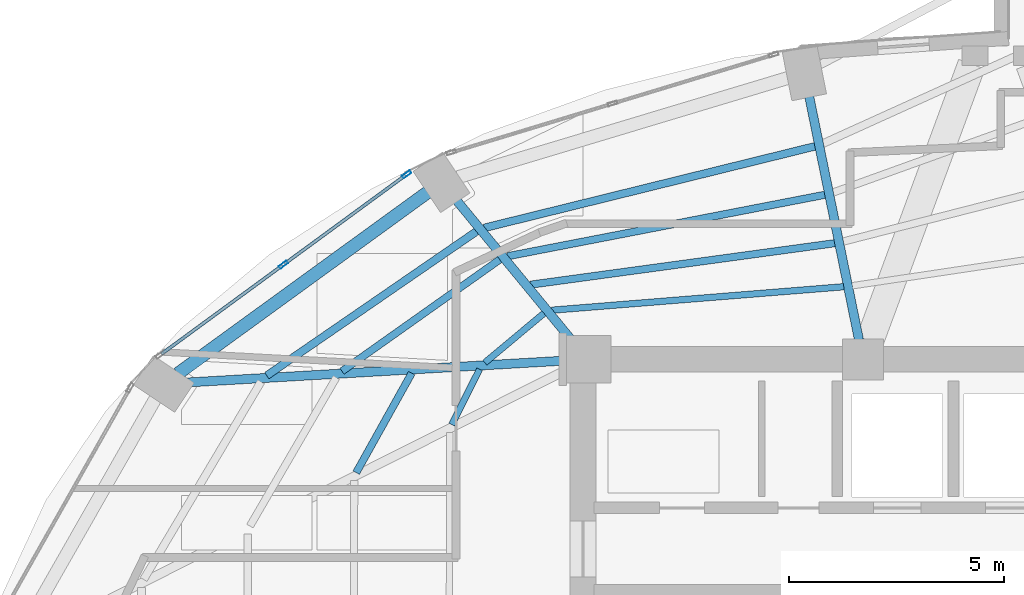
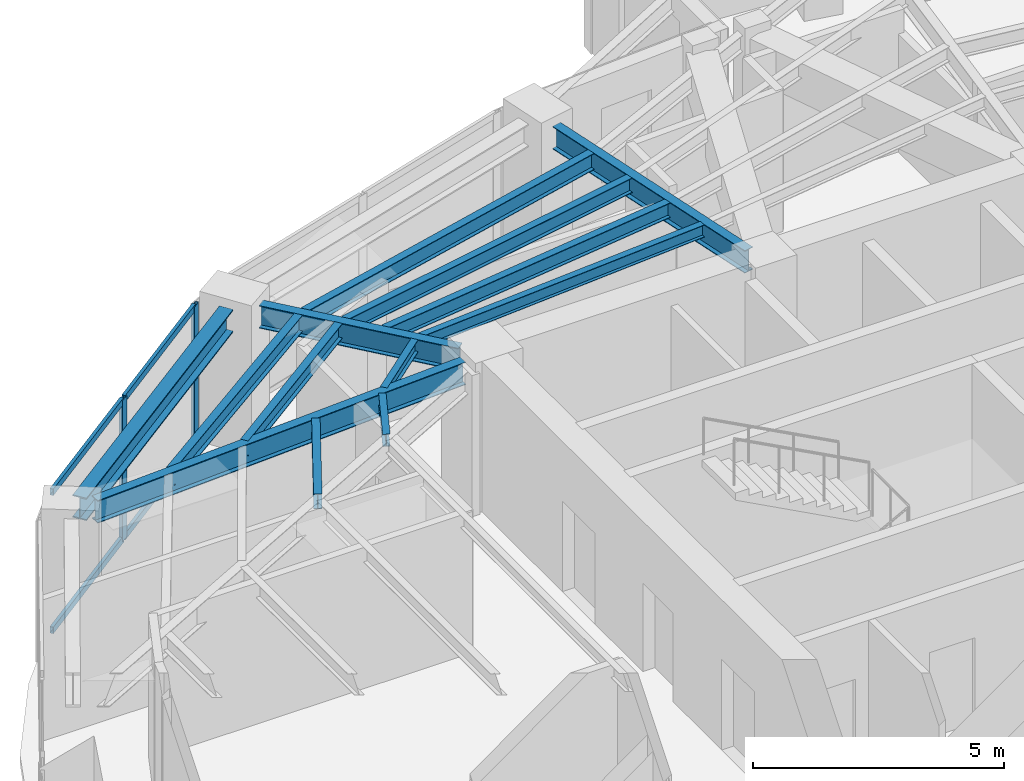
# One storey, part 7 of 20: 13 beams, 6 members, 1 element without a shape of its own.
"""IFC4 building model written with IfcOpenShell, lengths in metres."""

from ifc_helpers import new_model, si_unit, direction, frame, origin, origin_2d, place, context, subcontext, project, spatial, hollow_rectangle, i_section, extrude, material, layer, layer_set, material_profile, profile_set, type_object, element, aggregate, save


model = new_model("IFC4")

# Units and contexts
model_context = context("Model", 3, precision=1e-05, world=origin(), true_north=direction((0.0, 1.0)))
body_context = subcontext(model_context, "Body", "Model", "MODEL_VIEW")
ifc_project = project(units=[si_unit("LENGTHUNIT", "METRE"), si_unit("AREAUNIT", "SQUARE_METRE"), si_unit("VOLUMEUNIT", "CUBIC_METRE"), si_unit("PLANEANGLEUNIT", "RADIAN"), si_unit("MASSUNIT", "GRAM", prefix="KILO")], contexts=[model_context])

# Site, building, storey
site_placement = place(None, origin())
site = spatial("IfcSite", under=ifc_project, at=site_placement, CompositionType="ELEMENT")
building_placement = place(site_placement, origin())
building = spatial("IfcBuilding", under=site, at=building_placement, Name="Lazwardi Medical Tower", CompositionType="ELEMENT")
storey_placement = place(building_placement, frame((0.0, 0.0, 182.06396484375)))
storey = spatial("IfcBuildingStorey", under=building, at=storey_placement, Name="L47", CompositionType="ELEMENT", Elevation=182.06396484375)

# Beams
ifc_material_1 = material(Name="Steel S355", Category="steel")
ifc_material_profile_1 = material_profile(ifc_material_1, i_section(OverallWidth=0.300048828125, OverallDepth=0.550048828125, WebThickness=0.014892578125, FlangeThickness=0.029052734375, at=origin_2d()), Name="HEB 550")
ifc_profile_set_1 = profile_set([ifc_material_profile_1], Name="Steel S355")
beam_type_1 = type_object("IfcBeamType", Name="BM-RB-Z3", PredefinedType="BEAM", material=ifc_profile_set_1)
beam_1_placement = place(storey_placement, frame((22.689697265625, 39.479248046875, 3.153076171875), z_axis=(-0.809127570774, -0.587633026824, 0.0), x_axis=(0.587633026824, -0.809127570774, 0.0)))
element("IfcBeam", 1, at=beam_1_placement, inside=storey, type_object=beam_type_1, Name="Ring beam RB-04 B10 L47", PredefinedType="BEAM", context=body_context, shape_type="SweptSolid", body=[
    extrude(i_section(OverallWidth=0.300048828125, OverallDepth=0.550048828125, WebThickness=0.014892578125, FlangeThickness=0.029052734375, at=origin_2d()), origin(), (0.0, 0.0, 1.0), 7.170166015625),
])
ifc_material_profile_2 = material_profile(ifc_material_1, i_section(OverallWidth=0.2099609375, OverallDepth=0.550048828125, WebThickness=0.010986328125, FlangeThickness=0.01708984375, at=origin_2d()), Name="IPE 550")
ifc_profile_set_2 = profile_set([ifc_material_profile_2], Name="Steel S355")
beam_type_2 = type_object("IfcBeamType", Name="BM-RG-W2", PredefinedType="BEAM", material=ifc_profile_set_2)
beam_2_placement = place(storey_placement, frame((31.552001953125, 41.7001953125, 3.153076171875), z_axis=(0.200429485343, -0.979708130723, 0.0), x_axis=(0.979708130723, 0.200429485343, 0.0)))
element("IfcBeam", 2, at=beam_2_placement, inside=storey, type_object=beam_type_2, Name="Radial girder RG-03 R09 L47", PredefinedType="BEAM", context=body_context, shape_type="SweptSolid", body=[
    extrude(i_section(OverallWidth=0.2099609375, OverallDepth=0.550048828125, WebThickness=0.010986328125, FlangeThickness=0.01708984375, at=origin_2d()), origin(), (0.0, 0.0, 1.0), 5.766357421875),
])
beam_3_placement = place(storey_placement, frame((23.369384765625, 39.28173828125, 3.153076171875), z_axis=(0.635555639966, -0.772055068312, 0.0), x_axis=(0.772055068312, 0.635555639966, 0.0)))
element("IfcBeam", 3, at=beam_3_placement, inside=storey, type_object=beam_type_2, Name="Radial girder RG-03 R10 L47", PredefinedType="BEAM", context=body_context, shape_type="SweptSolid", body=[
    extrude(i_section(OverallWidth=0.2099609375, OverallDepth=0.550048828125, WebThickness=0.010986328125, FlangeThickness=0.01708984375, at=origin_2d()), origin(), (0.0, 0.0, 1.0), 4.233642578125),
])
beam_4_placement = place(storey_placement, frame((17.12353515625, 35.063232421875, 3.153076171875), z_axis=(0.998330154646, 0.057765927014, 0.0), x_axis=(-0.057765927014, 0.998330154646, 0.0)))
element("IfcBeam", 4, at=beam_4_placement, inside=storey, type_object=beam_type_2, Name="Radial girder RG-03 R11 L47", PredefinedType="BEAM", context=body_context, shape_type="SweptSolid", body=[
    extrude(i_section(OverallWidth=0.2099609375, OverallDepth=0.550048828125, WebThickness=0.010986328125, FlangeThickness=0.01708984375, at=origin_2d()), origin(), (0.0, 0.0, 1.0), 8.757080078125),
])
ifc_material_profile_3 = material_profile(ifc_material_1, i_section(OverallWidth=0.179931640625, OverallDepth=0.39990234375, WebThickness=0.008544921875, FlangeThickness=0.013427734375, at=origin_2d()), Name="IPE 400")
ifc_profile_set_3 = profile_set([ifc_material_profile_3], Name="Steel S355")
beam_type_3 = type_object("IfcBeamType", Name="BM-SJ-01", PredefinedType="JOIST", material=ifc_profile_set_3)
beam_5_placement = place(storey_placement, frame((31.68603515625, 40.54638671875, 3.22802734375), z_axis=(-0.970912648168, -0.239433977597, 0.0), x_axis=(0.239433977597, -0.970912648168, 0.0)))
element("IfcBeam", 5, at=beam_5_placement, inside=storey, type_object=beam_type_3, Name="Secondary joist SJ-01 R1 B09 L47", PredefinedType="JOIST", context=body_context, shape_type="SweptSolid", body=[
    extrude(i_section(OverallWidth=0.179931640625, OverallDepth=0.39990234375, WebThickness=0.008544921875, FlangeThickness=0.013427734375, at=origin_2d()), origin(), (0.0, 0.0, 1.0), 7.91162109375),
])
beam_6_placement = place(storey_placement, frame((23.8251953125, 38.5712890625, 3.22802734375), z_axis=(-0.823932256005, -0.566688307198, 0.0), x_axis=(0.566688307198, -0.823932256005, 0.0)))
element("IfcBeam", 6, at=beam_6_placement, inside=storey, type_object=beam_type_3, Name="Secondary joist SJ-01 R1 B10 L47", PredefinedType="JOIST", context=body_context, shape_type="SweptSolid", body=[
    extrude(i_section(OverallWidth=0.179931640625, OverallDepth=0.39990234375, WebThickness=0.008544921875, FlangeThickness=0.013427734375, at=origin_2d()), origin(), (0.0, 0.0, 1.0), 5.91162109375),
])
ifc_material_profile_4 = material_profile(ifc_material_1, i_section(OverallWidth=0.169921875, OverallDepth=0.360107421875, WebThickness=0.008056640625, FlangeThickness=0.0126953125, at=origin_2d()), Name="IPE 360")
ifc_profile_set_4 = profile_set([ifc_material_profile_4], Name="Steel S355")
beam_type_4 = type_object("IfcBeamType", Name="BM-SJ-02", PredefinedType="JOIST", material=ifc_profile_set_4)
beam_7_placement = place(storey_placement, frame((31.916015625, 39.42138671875, 3.248046875), z_axis=(-0.981753035865, -0.190160396953, 0.0), x_axis=(0.190160396953, -0.981753035865, 0.0)))
element("IfcBeam", 7, at=beam_7_placement, inside=storey, type_object=beam_type_4, Name="Secondary joist SJ-02 R2 B09 L47", PredefinedType="JOIST", context=body_context, shape_type="SweptSolid", body=[
    extrude(i_section(OverallWidth=0.169921875, OverallDepth=0.360107421875, WebThickness=0.008056640625, FlangeThickness=0.0126953125, at=origin_2d()), origin(), (0.0, 0.0, 1.0), 7.50927734375),
])
beam_8_placement = place(storey_placement, frame((24.364013671875, 37.91650390625, 3.248046875), z_axis=(-0.816108950798, -0.577898070967, 0.0), x_axis=(0.577898070967, -0.816108950798, 0.0)))
element("IfcBeam", 8, at=beam_8_placement, inside=storey, type_object=beam_type_4, Name="Secondary joist SJ-02 R2 B10 L47", PredefinedType="JOIST", context=body_context, shape_type="SweptSolid", body=[
    extrude(i_section(OverallWidth=0.169921875, OverallDepth=0.360107421875, WebThickness=0.008056640625, FlangeThickness=0.0126953125, at=origin_2d()), origin(), (0.0, 0.0, 1.0), 4.487060546875),
])
beam_9_placement = place(storey_placement, frame((32.146484375, 38.297119140625, 3.248046875), z_axis=(-0.990832043476, -0.135099450852, 0.0), x_axis=(0.135099450852, -0.990832043476, 0.0)))
element("IfcBeam", 9, at=beam_9_placement, inside=storey, type_object=beam_type_4, Name="Secondary joist SJ-02 R3 B09 L47", PredefinedType="JOIST", context=body_context, shape_type="SweptSolid", body=[
    extrude(i_section(OverallWidth=0.169921875, OverallDepth=0.360107421875, WebThickness=0.008056640625, FlangeThickness=0.0126953125, at=origin_2d()), origin(), (0.0, 0.0, 1.0), 7.129150390625),
])
beam_10_placement = place(storey_placement, frame((22.3203125, 35.279296875, 3.248046875), z_axis=(-0.487099444348, -0.87334651274, 0.0), x_axis=(0.87334651274, -0.487099444348, 0.0)))
element("IfcBeam", 10, at=beam_10_placement, inside=storey, type_object=beam_type_4, Name="Secondary joist SJ-02 R3 B11 L47", PredefinedType="JOIST", context=body_context, shape_type="SweptSolid", body=[
    extrude(i_section(OverallWidth=0.169921875, OverallDepth=0.360107421875, WebThickness=0.008056640625, FlangeThickness=0.0126953125, at=origin_2d()), origin(), (0.0, 0.0, 1.0), 2.64599609375),
])
ifc_material_profile_5 = material_profile(ifc_material_1, i_section(OverallWidth=0.14990234375, OverallDepth=0.300048828125, WebThickness=0.007080078125, FlangeThickness=0.0107421875, at=origin_2d()), Name="IPE 300")
ifc_profile_set_5 = profile_set([ifc_material_profile_5], Name="Steel S355")
beam_type_5 = type_object("IfcBeamType", Name="BM-SJ-03", PredefinedType="JOIST", material=ifc_profile_set_5)
beam_11_placement = place(storey_placement, frame((32.353759765625, 37.28564453125, 3.278076171875), z_axis=(-0.996785792338, -0.08011294647, 0.0), x_axis=(0.08011294647, -0.996785792338, 0.0)))
element("IfcBeam", 11, at=beam_11_placement, inside=storey, type_object=beam_type_5, Name="Secondary joist SJ-03 R4 B09 L47", PredefinedType="JOIST", context=body_context, shape_type="SweptSolid", body=[
    extrude(i_section(OverallWidth=0.14990234375, OverallDepth=0.300048828125, WebThickness=0.007080078125, FlangeThickness=0.0107421875, at=origin_2d()), origin(), (0.0, 0.0, 1.0), 6.80810546875),
])
beam_12_placement = place(storey_placement, frame((25.391357421875, 36.668212890625, 3.278076171875), z_axis=(-0.767437193893, -0.641124132621, 0.0), x_axis=(0.641124132621, -0.767437193893, 0.0)))
element("IfcBeam", 12, at=beam_12_placement, inside=storey, type_object=beam_type_5, Name="Secondary joist SJ-03 R4 B10 L47", PredefinedType="JOIST", context=body_context, shape_type="SweptSolid", body=[
    extrude(i_section(OverallWidth=0.14990234375, OverallDepth=0.300048828125, WebThickness=0.007080078125, FlangeThickness=0.0107421875, at=origin_2d()), origin(), (0.0, 0.0, 1.0), 1.787841796875),
])
beam_13_placement = place(storey_placement, frame((23.8974609375, 35.368408203125, 3.278076171875), z_axis=(-0.450406075332, -0.892823816497, 0.0), x_axis=(0.892823816497, -0.450406075332, 0.0)))
element("IfcBeam", 13, at=beam_13_placement, inside=storey, type_object=beam_type_5, Name="Secondary joist SJ-03 R4 B11 L47", PredefinedType="JOIST", context=body_context, shape_type="SweptSolid", body=[
    extrude(i_section(OverallWidth=0.14990234375, OverallDepth=0.300048828125, WebThickness=0.007080078125, FlangeThickness=0.0107421875, at=origin_2d()), origin(), (0.0, 0.0, 1.0), 1.4365234375),
])

# Curtain wall, members
ifc_material_2 = material(Name="Anodised bronze aluminium and solar control glazing", Category="aluminium")
ifc_layer = layer(ifc_material_2, 0.195068359375)
ifc_layer_set = layer_set([ifc_layer], Name="Anodised bronze aluminium and solar control glazing")
curtain_wall_type = type_object("IfcCurtainWallType", Name="CW-SYS-03", PredefinedType="NOTDEFINED", material=ifc_layer_set)
curtain_wall_placement = place(storey_placement, origin())
curtain_wall = element("IfcCurtainWall", 14, at=curtain_wall_placement, inside=storey, type_object=curtain_wall_type, Name="L47 Unitised bronze curtain wall CW-03", PredefinedType="NOTDEFINED")
ifc_material_3 = material(Name="Anodised bronze aluminium", Category="aluminium")
ifc_material_profile_6 = material_profile(ifc_material_3, hollow_rectangle(XDim=0.074951171875, YDim=0.219970703125, WallThickness=0.00390625, at=origin_2d()), Name="ALU-MULLION 220x75x4")
ifc_profile_set_6 = profile_set([ifc_material_profile_6], Name="Anodised bronze aluminium")
member_type_1 = type_object("IfcMemberType", Name="CW-MUL-01", PredefinedType="MULLION", material=ifc_profile_set_6)
member_1_placement = place(storey_placement, frame((22.204345703125, 39.894775390625, 0.0), z_axis=(0.0, 0.0, 1.0), x_axis=(0.590833862635, -0.806793249082, 0.0)))
member_1 = element("IfcMember", 15, at=member_1_placement, type_object=member_type_1, Name="CW-03 mullion 1", PredefinedType="MULLION", context=body_context, shape_type="SweptSolid", body=[
    extrude(hollow_rectangle(XDim=0.074951171875, YDim=0.219970703125, WallThickness=0.00390625, at=origin_2d()), origin(), (0.0, 0.0, 1.0), 3.427978515625),
])
member_2_placement = place(storey_placement, frame((19.34228515625, 37.798828125, 0.0), z_axis=(0.0, 0.0, 1.0), x_axis=(0.590833862635, -0.806793249082, 0.0)))
member_2 = element("IfcMember", 16, at=member_2_placement, type_object=member_type_1, Name="CW-03 mullion 2", PredefinedType="MULLION", context=body_context, shape_type="SweptSolid", body=[
    extrude(hollow_rectangle(XDim=0.074951171875, YDim=0.219970703125, WallThickness=0.00390625, at=origin_2d()), origin(), (0.0, 0.0, 1.0), 3.427978515625),
])
ifc_material_profile_7 = material_profile(ifc_material_3, hollow_rectangle(XDim=0.074951171875, YDim=0.159912109375, WallThickness=0.00390625, at=origin_2d()), Name="ALU-TRANSOM 160x75x4")
ifc_profile_set_7 = profile_set([ifc_material_profile_7], Name="Anodised bronze aluminium")
member_type_2 = type_object("IfcMemberType", Name="CW-TRN-01", PredefinedType="USERDEFINED", material=ifc_profile_set_7)
member_3_placement = place(storey_placement, frame((22.174072265625, 39.872802734375, 0.03759765625), z_axis=(-0.806773646358, -0.590860629542, 0.0), x_axis=(0.590860629542, -0.806773646358, 0.0)))
member_3 = element("IfcMember", 17, at=member_3_placement, type_object=member_type_2, Name="CW-03 transom 1.1", ObjectType="TRANSOM", PredefinedType="USERDEFINED", context=body_context, shape_type="SweptSolid", body=[
    extrude(hollow_rectangle(XDim=0.074951171875, YDim=0.159912109375, WallThickness=0.00390625, at=origin_2d()), origin(), (0.0, 0.0, 1.0), 3.472412109375),
])
member_4_placement = place(storey_placement, frame((22.174072265625, 39.872802734375, 3.390625), z_axis=(-0.806773646358, -0.590860629542, 0.0), x_axis=(0.590860629542, -0.806773646358, 0.0)))
member_4 = element("IfcMember", 18, at=member_4_placement, type_object=member_type_2, Name="CW-03 transom 1.2", ObjectType="TRANSOM", PredefinedType="USERDEFINED", context=body_context, shape_type="SweptSolid", body=[
    extrude(hollow_rectangle(XDim=0.074951171875, YDim=0.159912109375, WallThickness=0.00390625, at=origin_2d()), origin(), (0.0, 0.0, 1.0), 3.472412109375),
])
member_5_placement = place(storey_placement, frame((19.31201171875, 37.77685546875, 0.03759765625), z_axis=(-0.806773646358, -0.590860629542, 0.0), x_axis=(0.590860629542, -0.806773646358, 0.0)))
member_5 = element("IfcMember", 19, at=member_5_placement, type_object=member_type_2, Name="CW-03 transom 2.1", ObjectType="TRANSOM", PredefinedType="USERDEFINED", context=body_context, shape_type="SweptSolid", body=[
    extrude(hollow_rectangle(XDim=0.074951171875, YDim=0.159912109375, WallThickness=0.00390625, at=origin_2d()), origin(), (0.0, 0.0, 1.0), 3.472412109375),
])
member_6_placement = place(storey_placement, frame((19.31201171875, 37.77685546875, 3.390625), z_axis=(-0.806773646358, -0.590860629542, 0.0), x_axis=(0.590860629542, -0.806773646358, 0.0)))
member_6 = element("IfcMember", 20, at=member_6_placement, type_object=member_type_2, Name="CW-03 transom 2.2", ObjectType="TRANSOM", PredefinedType="USERDEFINED", context=body_context, shape_type="SweptSolid", body=[
    extrude(hollow_rectangle(XDim=0.074951171875, YDim=0.159912109375, WallThickness=0.00390625, at=origin_2d()), origin(), (0.0, 0.0, 1.0), 3.472412109375),
])
aggregate(curtain_wall, [member_1, member_2, member_3, member_4, member_5, member_6])

save(model, "model.ifc")
